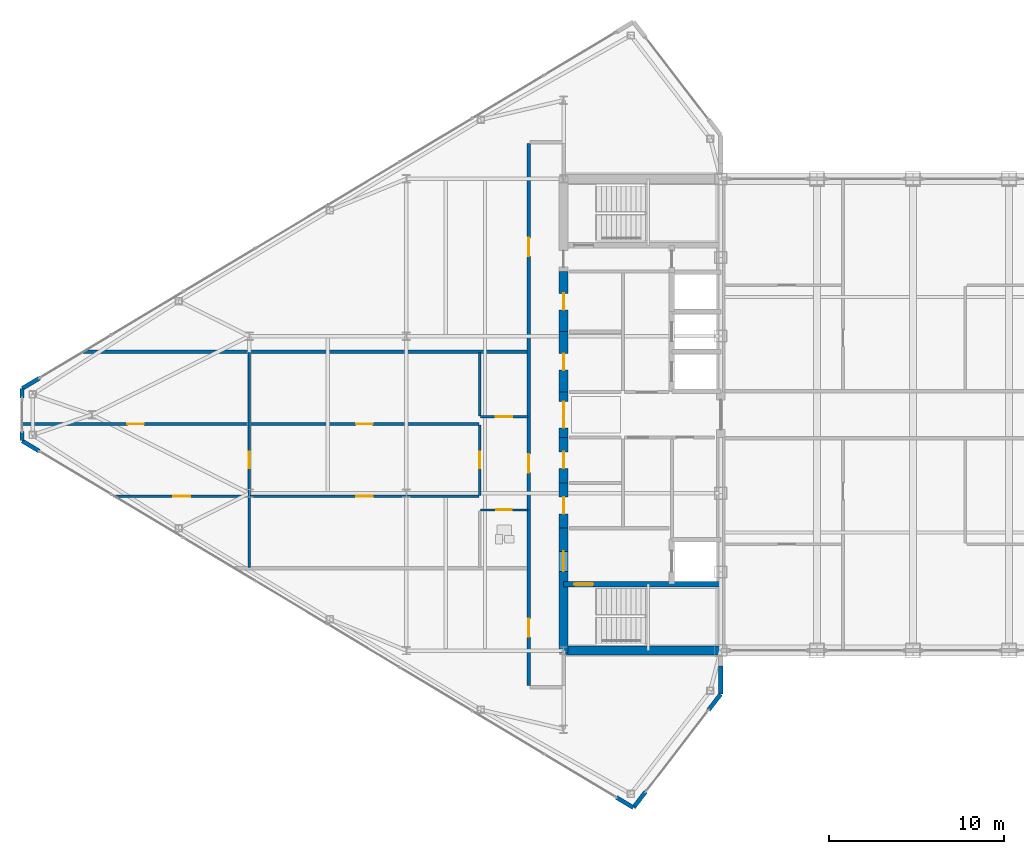
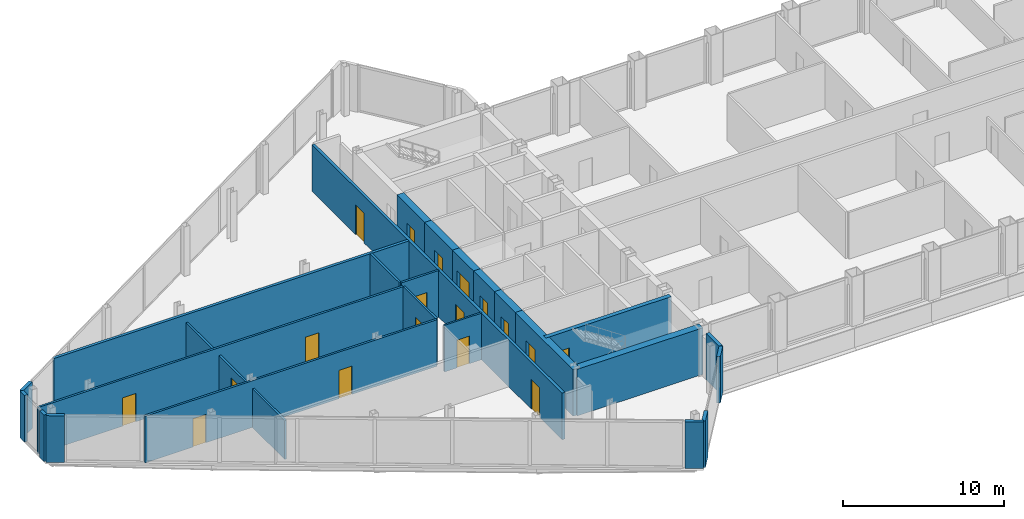
# One storey, part 21 of 29: 25 walls, 18 doors, 18 openings.
"""IFC4 building model written with IfcOpenShell, lengths in metres."""

from ifc_helpers import new_model, si_unit, direction, frame, frame_2d, origin, place, context, subcontext, project, spatial, rectangle, extrude, source, transform, mapped, material, layer, layer_set, type_object, type_shapes, element, fill, save


model = new_model("IFC4")

# Units and contexts
model_context = context("Model", 3, precision=1e-05, world=origin(), true_north=direction((0.0, 1.0)))
body_context = subcontext(model_context, "Body", "Model", "MODEL_VIEW")
ifc_project = project(units=[si_unit("LENGTHUNIT", "METRE"), si_unit("AREAUNIT", "SQUARE_METRE"), si_unit("VOLUMEUNIT", "CUBIC_METRE"), si_unit("PLANEANGLEUNIT", "RADIAN"), si_unit("MASSUNIT", "GRAM", prefix="KILO")], contexts=[model_context])

# Site, building, storey
site_placement = place(None, origin())
site = spatial("IfcSite", under=ifc_project, at=site_placement, CompositionType="ELEMENT")
building_placement = place(site_placement, origin())
building = spatial("IfcBuilding", under=site, at=building_placement, Name="Seokmaru Belvedere", CompositionType="ELEMENT")
storey_placement = place(building_placement, frame((0.0, 0.0, 239.39990234375)))
storey = spatial("IfcBuildingStorey", under=building, at=storey_placement, Name="L63", CompositionType="ELEMENT", Elevation=239.39990234375)

# Wall, openings, doors
ifc_material_1 = material(Name="Fire-Rated Gypsum Shaftwall")
ifc_layer_1 = layer(ifc_material_1, 0.14990234375)
ifc_layer_set_1 = layer_set([ifc_layer_1], Name="Fire-Rated Gypsum Shaftwall")
wall_type_1 = type_object("IfcWallType", Name="Apartment Fire-Acoustic Room Partition 150", PredefinedType="PARTITIONING", material=ifc_layer_set_1)
wall_1_placement = place(storey_placement, frame((-62.257080078125, -4.669921875, 0.0), z_axis=(0.0, 0.0, 1.0), x_axis=(1.0, 0.0, 0.0)))
wall_1 = element("IfcWall", 1, at=wall_1_placement, inside=storey, type_object=wall_type_1, Name="L63 Interior Partition 009", PredefinedType="PARTITIONING", context=body_context, shape_type="SweptSolid", body=[
    extrude(rectangle(XDim=20.906982421875, YDim=0.14990234375, at=frame_2d((10.45361328125, 0.0))), origin(), (0.0, 0.0, 1.0), 3.530029296875),
])
opening_1_placement = place(wall_1_placement, frame((13.882080078125, 0.0, 0.0)))
opening_1 = element("IfcOpeningElement", 2, at=opening_1_placement, cuts=wall_1, Name="Opening D05", PredefinedType="OPENING", context=body_context, shape_type="SweptSolid", body=[
    extrude(rectangle(XDim=0.949951171875, YDim=2.14990234375, at=frame_2d((0.47509765625, 1.074951171875))), frame((0.0, 0.0849609375, 0.0), z_axis=(0.0, -1.0, 0.0), x_axis=(1.0, 0.0, 0.0)), (0.0, 0.0, 1.0), 0.169921875),
])
opening_2_placement = place(wall_1_placement, frame((3.4208984375, 0.0, 0.0)))
opening_2 = element("IfcOpeningElement", 3, at=opening_2_placement, cuts=wall_1, Name="Opening D05", PredefinedType="OPENING", context=body_context, shape_type="SweptSolid", body=[
    extrude(rectangle(XDim=0.949951171875, YDim=2.14990234375, at=frame_2d((0.47509765625, 1.074951171875))), frame((0.0, 0.0849609375, 0.0), z_axis=(0.0, -1.0, 0.0), x_axis=(1.0, 0.0, 0.0)), (0.0, 0.0, 1.0), 0.169921875),
])
ifc_material_2 = material(Name="Engineered White Oak Timber", Category="wood")
door_type_1 = type_object("IfcDoorType", Name="Apartment Interior Fire-Rated Oak Door 950x2150", OperationType="NOTDEFINED", PredefinedType="DOOR", material=ifc_material_2)
shared_shape_1 = source(origin(), body_context, "Body", "SweptSolid", [
    extrude(rectangle(XDim=0.949951171875, YDim=2.14990234375, at=frame_2d((0.47509765625, 1.074951171875))), frame((0.0, 0.02490234375, 0.0), z_axis=(0.0, -1.0, 0.0), x_axis=(1.0, 0.0, 0.0)), (0.0, 0.0, 1.0), 0.050048828125),
])
type_shapes(door_type_1, [shared_shape_1])
door_1_placement = place(opening_1_placement, origin())
door_1 = element("IfcDoor", 4, at=door_1_placement, inside=storey, type_object=door_type_1, Name="L63 Interior Door 007", OperationType="SINGLE_SWING_LEFT", OverallHeight=2.14990234375, OverallWidth=0.949951171875, PredefinedType="DOOR", context=body_context, shape_type="MappedRepresentation", body=[
    mapped(shared_shape_1, transform((0.0, 0.0, 0.0), scale=1.0)),
])
fill(opening_1, door_1)
door_2_placement = place(opening_2_placement, origin())
door_2 = element("IfcDoor", 5, at=door_2_placement, inside=storey, type_object=door_type_1, Name="L63 Interior Door 009", OperationType="SINGLE_SWING_RIGHT", OverallHeight=2.14990234375, OverallWidth=0.949951171875, PredefinedType="DOOR", context=body_context, shape_type="MappedRepresentation", body=[
    mapped(shared_shape_1, transform((0.0, 0.0, 0.0), scale=1.0)),
])
fill(opening_2, door_2)

wall_2_placement = place(storey_placement, frame((-67.534912109375, -0.530029296875, 0.0), z_axis=(0.0, 0.0, 1.0), x_axis=(1.0, 0.0, 0.0)))
wall_2 = element("IfcWall", 6, at=wall_2_placement, inside=storey, type_object=wall_type_1, Name="L63 Interior Partition 014", PredefinedType="PARTITIONING", context=body_context, shape_type="SweptSolid", body=[
    extrude(rectangle(XDim=26.184814453125, YDim=0.14990234375, at=frame_2d((13.09228515625, 0.0))), origin(), (0.0, 0.0, 1.0), 3.530029296875),
])
opening_3_placement = place(wall_2_placement, frame((19.159912109375, 0.0, 0.0)))
opening_3 = element("IfcOpeningElement", 7, at=opening_3_placement, cuts=wall_2, Name="Opening D05", PredefinedType="OPENING", context=body_context, shape_type="SweptSolid", body=[
    extrude(rectangle(XDim=0.949951171875, YDim=2.14990234375, at=frame_2d((0.47509765625, 1.074951171875))), frame((0.0, 0.0849609375, 0.0), z_axis=(0.0, -1.0, 0.0), x_axis=(1.0, 0.0, 0.0)), (0.0, 0.0, 1.0), 0.169921875),
])
opening_4_placement = place(wall_2_placement, frame((6.06005859375, 0.0, 0.0)))
opening_4 = element("IfcOpeningElement", 8, at=opening_4_placement, cuts=wall_2, Name="Opening D05", PredefinedType="OPENING", context=body_context, shape_type="SweptSolid", body=[
    extrude(rectangle(XDim=0.949951171875, YDim=2.14990234375, at=frame_2d((0.47509765625, 1.074951171875))), frame((0.0, 0.0849609375, 0.0), z_axis=(0.0, -1.0, 0.0), x_axis=(1.0, 0.0, 0.0)), (0.0, 0.0, 1.0), 0.169921875),
])
door_3_placement = place(opening_3_placement, origin())
door_3 = element("IfcDoor", 9, at=door_3_placement, inside=storey, type_object=door_type_1, Name="L63 Interior Door 008", OperationType="SINGLE_SWING_RIGHT", OverallHeight=2.14990234375, OverallWidth=0.949951171875, PredefinedType="DOOR", context=body_context, shape_type="MappedRepresentation", body=[
    mapped(shared_shape_1, transform((0.0, 0.0, 0.0), scale=1.0)),
])
fill(opening_3, door_3)
door_4_placement = place(opening_4_placement, origin())
door_4 = element("IfcDoor", 10, at=door_4_placement, inside=storey, type_object=door_type_1, Name="L63 Interior Door 010", OperationType="SINGLE_SWING_RIGHT", OverallHeight=2.14990234375, OverallWidth=0.949951171875, PredefinedType="DOOR", context=body_context, shape_type="MappedRepresentation", body=[
    mapped(shared_shape_1, transform((0.0, 0.0, 0.0), scale=1.0)),
])
fill(opening_4, door_4)

# Wall, opening, door
wall_3_placement = place(storey_placement, frame((-41.25, -0.1201171875, 0.0), z_axis=(0.0, 0.0, 1.0), x_axis=(1.0, 0.0, 0.0)))
wall_3 = element("IfcWall", 11, at=wall_3_placement, inside=storey, type_object=wall_type_1, Name="L63 Interior Partition 015", PredefinedType="PARTITIONING", context=body_context, shape_type="SweptSolid", body=[
    extrude(rectangle(XDim=2.699951171875, YDim=0.14990234375, at=frame_2d((1.35009765625, 0.0))), origin(), (0.0, 0.0, 1.0), 3.530029296875),
])
opening_5_placement = place(wall_3_placement, frame((0.875, 0.0, 0.0)))
opening_5 = element("IfcOpeningElement", 12, at=opening_5_placement, cuts=wall_3, Name="Opening D05", PredefinedType="OPENING", context=body_context, shape_type="SweptSolid", body=[
    extrude(rectangle(XDim=0.949951171875, YDim=2.14990234375, at=frame_2d((0.47509765625, 1.074951171875))), frame((0.0, 0.0849609375, 0.0), z_axis=(0.0, -1.0, 0.0), x_axis=(1.0, 0.0, 0.0)), (0.0, 0.0, 1.0), 0.169921875),
])
door_5_placement = place(opening_5_placement, origin())
door_5 = element("IfcDoor", 13, at=door_5_placement, inside=storey, type_object=door_type_1, Name="L63 Interior Door 004", OperationType="SINGLE_SWING_LEFT", OverallHeight=2.14990234375, OverallWidth=0.949951171875, PredefinedType="DOOR", context=body_context, shape_type="MappedRepresentation", body=[
    mapped(shared_shape_1, transform((0.0, 0.0, 0.0), scale=1.0)),
])
fill(opening_5, door_5)

wall_4_placement = place(storey_placement, frame((-54.5, -8.75, 0.0), z_axis=(0.0, 0.0, 1.0), x_axis=(0.0, 1.0, 0.0)))
wall_4 = element("IfcWall", 14, at=wall_4_placement, inside=storey, type_object=wall_type_1, Name="L63 Interior Partition 027", PredefinedType="PARTITIONING", context=body_context, shape_type="SweptSolid", body=[
    extrude(rectangle(XDim=12.300048828125, YDim=0.14990234375, at=frame_2d((6.14990234375, 0.0))), origin(), (0.0, 0.0, 1.0), 2.93017578125),
])
opening_6_placement = place(wall_4_placement, frame((5.675048828125, 0.0, 0.0)))
opening_6 = element("IfcOpeningElement", 15, at=opening_6_placement, cuts=wall_4, Name="Opening D05", PredefinedType="OPENING", context=body_context, shape_type="SweptSolid", body=[
    extrude(rectangle(XDim=0.949951171875, YDim=2.14990234375, at=frame_2d((0.47509765625, 1.074951171875))), frame((0.0, 0.0849609375, 0.0), z_axis=(0.0, -1.0, 0.0), x_axis=(1.0, 0.0, 0.0)), (0.0, 0.0, 1.0), 0.169921875),
])
door_6_placement = place(opening_6_placement, origin())
door_6 = element("IfcDoor", 16, at=door_6_placement, inside=storey, type_object=door_type_1, Name="L63 Interior Door 006", OperationType="SINGLE_SWING_LEFT", OverallHeight=2.14990234375, OverallWidth=0.949951171875, PredefinedType="DOOR", context=body_context, shape_type="MappedRepresentation", body=[
    mapped(shared_shape_1, transform((0.0, 0.0, 0.0), scale=1.0)),
])
fill(opening_6, door_6)

wall_5_placement = place(storey_placement, frame((-41.300048828125, -4.616943359375, 0.0), z_axis=(0.0, 0.0, 1.0), x_axis=(0.0, 1.0, 0.0)))
wall_5 = element("IfcWall", 17, at=wall_5_placement, inside=storey, type_object=wall_type_1, Name="L63 Interior Partition 029", PredefinedType="PARTITIONING", context=body_context, shape_type="SweptSolid", body=[
    extrude(rectangle(XDim=4.033935546875, YDim=0.14990234375, at=frame_2d((2.01708984375, 0.0))), origin(), (0.0, 0.0, 1.0), 3.530029296875),
])
opening_7_placement = place(wall_5_placement, frame((1.5419921875, 0.0, 0.0)))
opening_7 = element("IfcOpeningElement", 18, at=opening_7_placement, cuts=wall_5, Name="Opening D05", PredefinedType="OPENING", context=body_context, shape_type="SweptSolid", body=[
    extrude(rectangle(XDim=0.949951171875, YDim=2.14990234375, at=frame_2d((0.47509765625, 1.074951171875))), frame((0.0, 0.0849609375, 0.0), z_axis=(0.0, -1.0, 0.0), x_axis=(1.0, 0.0, 0.0)), (0.0, 0.0, 1.0), 0.169921875),
])
door_7_placement = place(opening_7_placement, origin())
door_7 = element("IfcDoor", 19, at=door_7_placement, inside=storey, type_object=door_type_1, Name="L63 Interior Door 005", OperationType="SINGLE_SWING_RIGHT", OverallHeight=2.14990234375, OverallWidth=0.949951171875, PredefinedType="DOOR", context=body_context, shape_type="MappedRepresentation", body=[
    mapped(shared_shape_1, transform((0.0, 0.0, 0.0), scale=1.0)),
])
fill(opening_7, door_7)

# Walls
wall_6_placement = place(storey_placement, frame((-41.300048828125, -0.068115234375, 0.0), z_axis=(0.0, 0.0, 1.0), x_axis=(0.0, 1.0, 0.0)))
element("IfcWall", 20, at=wall_6_placement, inside=storey, type_object=wall_type_1, Name="L63 Interior Partition 030", PredefinedType="PARTITIONING", context=body_context, shape_type="SweptSolid", body=[
    extrude(rectangle(XDim=3.6181640625, YDim=0.14990234375, at=frame_2d((1.80908203125, 0.0))), origin(), (0.0, 0.0, 1.0), 3.530029296875),
])
ifc_layer_2 = layer(ifc_material_1, 0.199951171875)
ifc_layer_set_2 = layer_set([ifc_layer_2], Name="Fire-Rated Gypsum Shaftwall")
wall_type_2 = type_object("IfcWallType", Name="Inter-Tenancy Fire Compartment Partition 200", PredefinedType="PARTITIONING", material=ifc_layer_set_2)
wall_7_placement = place(storey_placement, frame((-64.010009765625, 3.60009765625, 0.0), z_axis=(0.0, 0.0, 1.0), x_axis=(1.0, 0.0, 0.0)))
element("IfcWall", 21, at=wall_7_placement, inside=storey, type_object=wall_type_2, Name="L63 Interior Partition 020", PredefinedType="PARTITIONING", context=body_context, shape_type="SweptSolid", body=[
    extrude(rectangle(XDim=25.429931640625, YDim=0.199951171875, at=frame_2d((12.71484375, 0.0))), origin(), (0.0, 0.0, 1.0), 3.530029296875),
])

# Wall, openings, doors
wall_8_placement = place(storey_placement, frame((-38.5, -15.514892578125, 0.0), z_axis=(0.0, 0.0, 1.0), x_axis=(0.0, 1.0, 0.0)))
wall_8 = element("IfcWall", 22, at=wall_8_placement, inside=storey, type_object=wall_type_2, Name="L63 Interior Partition 031", PredefinedType="PARTITIONING", context=body_context, shape_type="SweptSolid", body=[
    extrude(rectangle(XDim=31.02978515625, YDim=0.199951171875, at=frame_2d((15.514892578125, 0.0))), origin(), (0.0, 0.0, 1.0), 3.530029296875),
])
opening_8_placement = place(wall_8_placement, frame((2.7900390625, 0.0, 0.0)))
opening_8 = element("IfcOpeningElement", 23, at=opening_8_placement, cuts=wall_8, Name="Opening D03", PredefinedType="OPENING", context=body_context, shape_type="SweptSolid", body=[
    extrude(rectangle(XDim=1.050048828125, YDim=2.25, at=frame_2d((0.52490234375, 1.125))), frame((0.0, 0.10986328125, 0.0), z_axis=(0.0, -1.0, 0.0), x_axis=(1.0, 0.0, 0.0)), (0.0, 0.0, 1.0), 0.219970703125),
])
opening_9_placement = place(wall_8_placement, frame((12.2041015625, 0.0, 0.0)))
opening_9 = element("IfcOpeningElement", 24, at=opening_9_placement, cuts=wall_8, Name="Opening D03", PredefinedType="OPENING", context=body_context, shape_type="SweptSolid", body=[
    extrude(rectangle(XDim=1.050048828125, YDim=2.25, at=frame_2d((0.52490234375, 1.125))), frame((0.0, 0.10986328125, 0.0), z_axis=(0.0, -1.0, 0.0), x_axis=(1.0, 0.0, 0.0)), (0.0, 0.0, 1.0), 0.219970703125),
])
opening_10_placement = place(wall_8_placement, frame((24.590087890625, 0.0, 0.0)))
opening_10 = element("IfcOpeningElement", 25, at=opening_10_placement, cuts=wall_8, Name="Opening D03", PredefinedType="OPENING", context=body_context, shape_type="SweptSolid", body=[
    extrude(rectangle(XDim=1.050048828125, YDim=2.25, at=frame_2d((0.52490234375, 1.125))), frame((0.0, 0.10986328125, 0.0), z_axis=(0.0, -1.0, 0.0), x_axis=(1.0, 0.0, 0.0)), (0.0, 0.0, 1.0), 0.219970703125),
])
ifc_material_3 = material(Name="Fire-Rated Steel Leaf", Category="steel")
door_type_2 = type_object("IfcDoorType", Name="Apartment Entrance Fire Door 1050x2250", OperationType="NOTDEFINED", PredefinedType="DOOR", material=ifc_material_3)
shared_shape_2 = source(origin(), body_context, "Body", "SweptSolid", [
    extrude(rectangle(XDim=1.050048828125, YDim=2.25, at=frame_2d((0.52490234375, 1.125))), frame((0.0, 0.02490234375, 0.0), z_axis=(0.0, -1.0, 0.0), x_axis=(1.0, 0.0, 0.0)), (0.0, 0.0, 1.0), 0.050048828125),
])
type_shapes(door_type_2, [shared_shape_2])
door_8_placement = place(opening_8_placement, origin())
door_8 = element("IfcDoor", 26, at=door_8_placement, inside=storey, type_object=door_type_2, Name="L63 Interior Door 001", OperationType="SINGLE_SWING_RIGHT", OverallHeight=2.25, OverallWidth=1.050048828125, PredefinedType="DOOR", context=body_context, shape_type="MappedRepresentation", body=[
    mapped(shared_shape_2, transform((0.0, 0.0, 0.0), scale=1.0)),
])
fill(opening_8, door_8)
door_9_placement = place(opening_9_placement, origin())
door_9 = element("IfcDoor", 27, at=door_9_placement, inside=storey, type_object=door_type_2, Name="L63 Interior Door 002", OperationType="SINGLE_SWING_LEFT", OverallHeight=2.25, OverallWidth=1.050048828125, PredefinedType="DOOR", context=body_context, shape_type="MappedRepresentation", body=[
    mapped(shared_shape_2, transform((0.0, 0.0, 0.0), scale=1.0)),
])
fill(opening_9, door_9)
door_10_placement = place(opening_10_placement, origin())
door_10 = element("IfcDoor", 28, at=door_10_placement, inside=storey, type_object=door_type_2, Name="L63 Interior Door 011", OperationType="SINGLE_SWING_RIGHT", OverallHeight=2.25, OverallWidth=1.050048828125, PredefinedType="DOOR", context=body_context, shape_type="MappedRepresentation", body=[
    mapped(shared_shape_2, transform((0.0, 0.0, 0.0), scale=1.0)),
])
fill(opening_10, door_10)

# Wall, opening, door
ifc_material_4 = material(Name="Concrete C50 (50 MPa)", Category="concrete")
ifc_layer_3 = layer(ifc_material_4, 0.300048828125)
ifc_layer_set_3 = layer_set([ifc_layer_3], Name="Concrete C50 (50 MPa)")
wall_type_3 = type_object("IfcWallType", Name="Internal Core Stair and Hoistway Wall 300", PredefinedType="SHEAR", material=ifc_layer_set_3)
wall_9_placement = place(storey_placement, frame((-36.5, -9.699951171875, 0.0), z_axis=(0.0, 0.0, 1.0), x_axis=(1.0, 0.0, 0.0)))
wall_9 = element("IfcWall", 29, at=wall_9_placement, inside=storey, type_object=wall_type_3, Name="L63 West Stair ST-1 Enclosure Wall", PredefinedType="SHEAR", context=body_context, shape_type="SweptSolid", body=[
    extrude(rectangle(XDim=9.0, YDim=0.300048828125, at=frame_2d((4.5, 0.0))), origin(), (0.0, 0.0, 1.0), 3.530029296875),
])
opening_11_placement = place(wall_9_placement, frame((0.60009765625, 0.0, 0.0)))
opening_11 = element("IfcOpeningElement", 30, at=opening_11_placement, cuts=wall_9, Name="Opening D01", PredefinedType="OPENING", context=body_context, shape_type="SweptSolid", body=[
    extrude(rectangle(XDim=1.10009765625, YDim=2.199951171875, at=frame_2d((0.550048828125, 1.10009765625))), frame((0.0, 0.16015625, 0.0), z_axis=(0.0, -1.0, 0.0), x_axis=(1.0, 0.0, 0.0)), (0.0, 0.0, 1.0), 0.320068359375),
])
door_type_3 = type_object("IfcDoorType", Name="Special Escape Stair Smokeproof Fire Door 1100x2200", OperationType="NOTDEFINED", PredefinedType="DOOR", material=ifc_material_3)
shared_shape_3 = source(origin(), body_context, "Body", "SweptSolid", [
    extrude(rectangle(XDim=1.10009765625, YDim=2.199951171875, at=frame_2d((0.550048828125, 1.10009765625))), frame((0.0, 0.02490234375, 0.0), z_axis=(0.0, -1.0, 0.0), x_axis=(1.0, 0.0, 0.0)), (0.0, 0.0, 1.0), 0.050048828125),
])
type_shapes(door_type_3, [shared_shape_3])
door_11_placement = place(opening_11_placement, frame((1.10009765625, 0.0, 0.0), z_axis=(0.0, 0.0, 1.0), x_axis=(-1.0, 0.0, 0.0)))
door_11 = element("IfcDoor", 31, at=door_11_placement, inside=storey, type_object=door_type_3, Name="L63 West Special Escape Stair ST-1 Door", OperationType="SINGLE_SWING_LEFT", OverallHeight=2.199951171875, OverallWidth=1.10009765625, PredefinedType="DOOR", context=body_context, shape_type="MappedRepresentation", body=[
    mapped(shared_shape_3, transform((0.0, 0.0, 0.0), scale=1.0)),
])
fill(opening_11, door_11)

ifc_layer_4 = layer(ifc_material_1, 0.1298828125)
ifc_layer_set_4 = layer_set([ifc_layer_4], Name="Fire-Rated Gypsum Shaftwall")
wall_type_4 = type_object("IfcWallType", Name="Moisture-Resistant Fire-Rated Bathroom Partition 130", PredefinedType="PARTITIONING", material=ifc_layer_set_4)
wall_10_placement = place(storey_placement, frame((-41.25, -5.449951171875, 0.0), z_axis=(0.0, 0.0, 1.0), x_axis=(1.0, 0.0, 0.0)))
wall_10 = element("IfcWall", 32, at=wall_10_placement, inside=storey, type_object=wall_type_4, Name="L63 Interior Partition 008", PredefinedType="PARTITIONING", context=body_context, shape_type="SweptSolid", body=[
    extrude(rectangle(XDim=2.699951171875, YDim=0.1298828125, at=frame_2d((1.35009765625, 0.0))), origin(), (0.0, 0.0, 1.0), 3.530029296875),
])
opening_12_placement = place(wall_10_placement, frame((0.909912109375, 0.0, 0.0)))
opening_12 = element("IfcOpeningElement", 33, at=opening_12_placement, cuts=wall_10, Name="Opening D06", PredefinedType="OPENING", context=body_context, shape_type="SweptSolid", body=[
    extrude(rectangle(XDim=0.8798828125, YDim=2.10009765625, at=frame_2d((0.43994140625, 1.050048828125))), frame((0.0, 0.074951171875, 0.0), z_axis=(0.0, -1.0, 0.0), x_axis=(1.0, 0.0, 0.0)), (0.0, 0.0, 1.0), 0.14990234375),
])
door_type_4 = type_object("IfcDoorType", Name="Bathroom and Restroom Fire-Rated Door 880x2100", OperationType="NOTDEFINED", PredefinedType="DOOR", material=ifc_material_2)
shared_shape_4 = source(origin(), body_context, "Body", "SweptSolid", [
    extrude(rectangle(XDim=0.8798828125, YDim=2.10009765625, at=frame_2d((0.43994140625, 1.050048828125))), frame((0.0, 0.02490234375, 0.0), z_axis=(0.0, -1.0, 0.0), x_axis=(1.0, 0.0, 0.0)), (0.0, 0.0, 1.0), 0.050048828125),
])
type_shapes(door_type_4, [shared_shape_4])
door_12_placement = place(opening_12_placement, origin())
door_12 = element("IfcDoor", 34, at=door_12_placement, inside=storey, type_object=door_type_4, Name="L63 Interior Door 003", OperationType="SINGLE_SWING_LEFT", OverallHeight=2.10009765625, OverallWidth=0.8798828125, PredefinedType="DOOR", context=body_context, shape_type="MappedRepresentation", body=[
    mapped(shared_shape_4, transform((0.0, 0.0, 0.0), scale=1.0)),
])
fill(opening_12, door_12)

# Walls
ifc_material_5 = material(Name="Anodised Bronze Aluminium", Category="aluminium")
ifc_layer_5 = layer(ifc_material_5, 0.239990234375)
ifc_layer_set_5 = layer_set([ifc_layer_5], Name="Anodised Bronze Aluminium")
wall_type_5 = type_object("IfcWallType", Name="Tower Corner Spandrel Closure Wall 240", PredefinedType="SOLIDWALL", material=ifc_layer_set_5)
wall_11_placement = place(storey_placement, frame((-27.5, -15.97998046875, 0.0), z_axis=(0.0, 0.0, 1.0), x_axis=(0.0, 1.0, 0.0)))
element("IfcWall", 35, at=wall_11_placement, inside=storey, type_object=wall_type_5, Name="L63 W Shoulder Closure Wall 1", PredefinedType="SOLIDWALL", context=body_context, shape_type="SweptSolid", body=[
    extrude(rectangle(XDim=1.605224609375, YDim=0.239990234375, at=frame_2d((0.802734375, 0.0))), origin(), (0.0, 0.0, 1.0), 3.530029296875),
])
wall_12_placement = place(storey_placement, frame((-66.513916015625, 2.091796875, 0.0), z_axis=(0.0, 0.0, 1.0), x_axis=(-0.85743623509, -0.514590228002, 0.0)))
element("IfcWall", 36, at=wall_12_placement, inside=storey, type_object=wall_type_5, Name="L63 W Corner Closure Pier 3B", PredefinedType="SOLIDWALL", context=body_context, shape_type="SweptSolid", body=[
    extrude(rectangle(XDim=1.14013671875, YDim=0.239990234375, at=frame_2d((0.570068359375, 0.0))), origin(), (0.0, 0.0, 1.0), 3.530029296875),
])
for number, where, z_axis, x_axis, name in (
    (37, (-67.5, 1.489990234375, 0.0), (0.0, 0.0, 1.0), (0.0, -1.0, 0.0), "L63 W Apex Closure Pier 4A"),
    (38, (-67.5, -0.949951171875, 0.0), (0.0, 0.0, 1.0), (0.0, -1.0, 0.0), "L63 W Apex Closure Pier 4B"),
):
    element("IfcWall", number, at=place(storey_placement, frame(where, z_axis=z_axis, x_axis=x_axis)), inside=storey, type_object=wall_type_5, Name=name, PredefinedType="SOLIDWALL", context=body_context, shape_type="SweptSolid", body=[
        extrude(rectangle(XDim=0.5400390625, YDim=0.239990234375, at=frame_2d((0.27001953125, 0.0))), origin(), (0.0, 0.0, 1.0), 3.530029296875),
    ])
for number, where, z_axis, x_axis, name in (
    (39, (-67.491455078125, -1.505126953125, 0.0), (0.0, 0.0, 1.0), (0.85743623509, -0.514590228002, 0.0), "L63 W Corner Closure Pier 5A"),
    (40, (-33.486083984375, -21.908203125, 0.0), (0.0, 0.0, 1.0), (0.85743623509, -0.514590228002, 0.0), "L63 W Corner Closure Pier 5B"),
    (41, (-32.493896484375, -22.4921875, 0.0), (0.0, 0.0, 1.0), (0.609617623633, 0.792695624408, 0.0), "L63 W Corner Closure Pier 6A"),
    (42, (-28.201171875, -16.91162109375, 0.0), (0.0, 0.0, 1.0), (0.609617623633, 0.792695624408, 0.0), "L63 W Corner Closure Pier 6B"),
):
    element("IfcWall", number, at=place(storey_placement, frame(where, z_axis=z_axis, x_axis=x_axis)), inside=storey, type_object=wall_type_5, Name=name, PredefinedType="SOLIDWALL", context=body_context, shape_type="SweptSolid", body=[
        extrude(rectangle(XDim=1.14013671875, YDim=0.239990234375, at=frame_2d((0.570068359375, 0.0))), origin(), (0.0, 0.0, 1.0), 3.530029296875),
    ])
ifc_layer_6 = layer(ifc_material_4, 0.5)
ifc_layer_set_6 = layer_set([ifc_layer_6], Name="Concrete C50 (50 MPa)")
wall_type_6 = type_object("IfcWallType", Name="Upper Tower Reinforced Concrete Core Wall 500", PredefinedType="SHEAR", material=ifc_layer_set_6)
wall_13_placement = place(storey_placement, frame((-36.5, -13.5, 0.0), z_axis=(0.0, 0.0, 1.0), x_axis=(1.0, 0.0, 0.0)))
element("IfcWall", 43, at=wall_13_placement, inside=storey, type_object=wall_type_6, Name="L63 West South Core Wall", PredefinedType="SHEAR", context=body_context, shape_type="SweptSolid", body=[
    extrude(rectangle(XDim=9.0, YDim=0.5, at=frame_2d((4.5, 0.0))), origin(), (0.0, 0.0, 1.0), 3.530029296875),
])

# Wall, opening, door
wall_14_placement = place(storey_placement, frame((-36.5, -13.64990234375, 0.0), z_axis=(0.0, 0.0, 1.0), x_axis=(0.0, 1.0, 0.0)))
wall_14 = element("IfcWall", 44, at=wall_14_placement, inside=storey, type_object=wall_type_6, Name="L63 West West Core Wall FF", PredefinedType="SHEAR", context=body_context, shape_type="SweptSolid", body=[
    extrude(rectangle(XDim=7.14990234375, YDim=0.5, at=frame_2d((3.574951171875, 0.0))), origin(), (0.0, 0.0, 1.0), 3.530029296875),
])
opening_13_placement = place(wall_14_placement, frame((4.675048828125, 0.0, 0.0)))
opening_13 = element("IfcOpeningElement", 45, at=opening_13_placement, cuts=wall_14, Name="Opening D02", PredefinedType="OPENING", context=body_context, shape_type="SweptSolid", body=[
    extrude(rectangle(XDim=1.14990234375, YDim=2.199951171875, at=frame_2d((0.574951171875, 1.10009765625))), frame((0.0, 0.260009765625, 0.0), z_axis=(0.0, -1.0, 0.0), x_axis=(1.0, 0.0, 0.0)), (0.0, 0.0, 1.0), 0.52001953125),
])
door_type_5 = type_object("IfcDoorType", Name="Lobby and Vestibule Fire Door 1150x2200", OperationType="NOTDEFINED", PredefinedType="DOOR", material=ifc_material_3)
shared_shape_5 = source(origin(), body_context, "Body", "SweptSolid", [
    extrude(rectangle(XDim=1.14990234375, YDim=2.199951171875, at=frame_2d((0.574951171875, 1.10009765625))), frame((0.0, 0.02490234375, 0.0), z_axis=(0.0, -1.0, 0.0), x_axis=(1.0, 0.0, 0.0)), (0.0, 0.0, 1.0), 0.050048828125),
])
type_shapes(door_type_5, [shared_shape_5])
door_13_placement = place(opening_13_placement, frame((1.14990234375, 0.0, 0.0), z_axis=(0.0, 0.0, 1.0), x_axis=(-1.0, 0.0, 0.0)))
door_13 = element("IfcDoor", 46, at=door_13_placement, inside=storey, type_object=door_type_5, Name="L63 West Firefighting Lobby Door", OperationType="SINGLE_SWING_LEFT", OverallHeight=2.199951171875, OverallWidth=1.14990234375, PredefinedType="DOOR", context=body_context, shape_type="MappedRepresentation", body=[
    mapped(shared_shape_5, transform((0.0, 0.0, 0.0), scale=1.0)),
])
fill(opening_13, door_13)

wall_15_placement = place(storey_placement, frame((-36.5, -1.300048828125, 0.0), z_axis=(0.0, 0.0, 1.0), x_axis=(0.0, 1.0, 0.0)))
wall_15 = element("IfcWall", 47, at=wall_15_placement, inside=storey, type_object=wall_type_6, Name="L63 West West Core Wall FOY", PredefinedType="SHEAR", context=body_context, shape_type="SweptSolid", body=[
    extrude(rectangle(XDim=2.60009765625, YDim=0.5, at=frame_2d((1.300048828125, 0.0))), origin(), (0.0, 0.0, 1.0), 3.530029296875),
])
opening_14_placement = place(wall_15_placement, frame((0.550048828125, 0.0, 0.0)))
opening_14 = element("IfcOpeningElement", 48, at=opening_14_placement, cuts=wall_15, Name="Opening D08", PredefinedType="OPENING", context=body_context, shape_type="SweptSolid", body=[
    extrude(rectangle(XDim=1.5, YDim=2.300048828125, at=frame_2d((0.75, 1.14990234375))), frame((0.0, 0.260009765625, 0.0), z_axis=(0.0, -1.0, 0.0), x_axis=(1.0, 0.0, 0.0)), (0.0, 0.0, 1.0), 0.52001953125),
])
door_type_6 = type_object("IfcDoorType", Name="Cross-Corridor Compartment Double Fire Door 1500x2300", OperationType="DOUBLE_SWING_LEFT", PredefinedType="DOOR", material=ifc_material_3)
shared_shape_6 = source(origin(), body_context, "Body", "SweptSolid", [
    extrude(rectangle(XDim=1.5, YDim=2.300048828125, at=frame_2d((0.75, 1.14990234375))), frame((0.0, 0.02490234375, 0.0), z_axis=(0.0, -1.0, 0.0), x_axis=(1.0, 0.0, 0.0)), (0.0, 0.0, 1.0), 0.050048828125),
])
type_shapes(door_type_6, [shared_shape_6])
door_14_placement = place(opening_14_placement, origin())
door_14 = element("IfcDoor", 49, at=door_14_placement, inside=storey, type_object=door_type_6, Name="L63 West Core Foyer Compartment Door", OperationType="DOUBLE_SWING_LEFT", OverallHeight=2.300048828125, OverallWidth=1.5, PredefinedType="DOOR", context=body_context, shape_type="MappedRepresentation", body=[
    mapped(shared_shape_6, transform((0.0, 0.0, 0.0), scale=1.0)),
])
fill(opening_14, door_14)

wall_16_placement = place(storey_placement, frame((-36.5, -6.5, 0.0), z_axis=(0.0, 0.0, 1.0), x_axis=(0.0, 1.0, 0.0)))
wall_16 = element("IfcWall", 50, at=wall_16_placement, inside=storey, type_object=wall_type_6, Name="L63 West West Core Wall CS1", PredefinedType="SHEAR", context=body_context, shape_type="SweptSolid", body=[
    extrude(rectangle(XDim=2.60009765625, YDim=0.5, at=frame_2d((1.300048828125, 0.0))), origin(), (0.0, 0.0, 1.0), 3.530029296875),
])
opening_15_placement = place(wall_16_placement, frame((0.824951171875, 0.0, 0.0)))
opening_15 = element("IfcOpeningElement", 51, at=opening_15_placement, cuts=wall_16, Name="Opening D04", PredefinedType="OPENING", context=body_context, shape_type="SweptSolid", body=[
    extrude(rectangle(XDim=0.949951171875, YDim=2.14990234375, at=frame_2d((0.47509765625, 1.074951171875))), frame((0.0, 0.260009765625, 0.0), z_axis=(0.0, -1.0, 0.0), x_axis=(1.0, 0.0, 0.0)), (0.0, 0.0, 1.0), 0.52001953125),
])
door_type_7 = type_object("IfcDoorType", Name="Core Service Room Fire Door 950x2150", OperationType="NOTDEFINED", PredefinedType="DOOR", material=ifc_material_3)
shared_shape_7 = source(origin(), body_context, "Body", "SweptSolid", [
    extrude(rectangle(XDim=0.949951171875, YDim=2.14990234375, at=frame_2d((0.47509765625, 1.074951171875))), frame((0.0, 0.02490234375, 0.0), z_axis=(0.0, -1.0, 0.0), x_axis=(1.0, 0.0, 0.0)), (0.0, 0.0, 1.0), 0.050048828125),
])
type_shapes(door_type_7, [shared_shape_7])
door_15_placement = place(opening_15_placement, origin())
door_15 = element("IfcDoor", 52, at=door_15_placement, inside=storey, type_object=door_type_7, Name="L63 West Core Service Room Door 1", OperationType="SINGLE_SWING_LEFT", OverallHeight=2.14990234375, OverallWidth=0.949951171875, PredefinedType="DOOR", context=body_context, shape_type="MappedRepresentation", body=[
    mapped(shared_shape_7, transform((0.0, 0.0, 0.0), scale=1.0)),
])
fill(opening_15, door_15)

wall_17_placement = place(storey_placement, frame((-36.5, -3.89990234375, 0.0), z_axis=(0.0, 0.0, 1.0), x_axis=(0.0, 1.0, 0.0)))
wall_17 = element("IfcWall", 53, at=wall_17_placement, inside=storey, type_object=wall_type_6, Name="L63 West West Core Wall CS2", PredefinedType="SHEAR", context=body_context, shape_type="SweptSolid", body=[
    extrude(rectangle(XDim=2.599853515625, YDim=0.5, at=frame_2d((1.2998046875, 0.0))), origin(), (0.0, 0.0, 1.0), 3.530029296875),
])
opening_16_placement = place(wall_17_placement, frame((0.824951171875, 0.0, 0.0)))
opening_16 = element("IfcOpeningElement", 54, at=opening_16_placement, cuts=wall_17, Name="Opening D04", PredefinedType="OPENING", context=body_context, shape_type="SweptSolid", body=[
    extrude(rectangle(XDim=0.949951171875, YDim=2.14990234375, at=frame_2d((0.47509765625, 1.074951171875))), frame((0.0, 0.260009765625, 0.0), z_axis=(0.0, -1.0, 0.0), x_axis=(1.0, 0.0, 0.0)), (0.0, 0.0, 1.0), 0.52001953125),
])
door_16_placement = place(opening_16_placement, origin())
door_16 = element("IfcDoor", 55, at=door_16_placement, inside=storey, type_object=door_type_7, Name="L63 West Core Service Room Door 2", OperationType="SINGLE_SWING_RIGHT", OverallHeight=2.14990234375, OverallWidth=0.949951171875, PredefinedType="DOOR", context=body_context, shape_type="MappedRepresentation", body=[
    mapped(shared_shape_7, transform((0.0, 0.0, 0.0), scale=1.0)),
])
fill(opening_16, door_16)

wall_18_placement = place(storey_placement, frame((-36.5, 1.300048828125, 0.0), z_axis=(0.0, 0.0, 1.0), x_axis=(0.0, 1.0, 0.0)))
wall_18 = element("IfcWall", 56, at=wall_18_placement, inside=storey, type_object=wall_type_6, Name="L63 West West Core Wall CS3", PredefinedType="SHEAR", context=body_context, shape_type="SweptSolid", body=[
    extrude(rectangle(XDim=3.449951171875, YDim=0.5, at=frame_2d((1.72509765625, 0.0))), origin(), (0.0, 0.0, 1.0), 3.530029296875),
])
opening_17_placement = place(wall_18_placement, frame((1.25, 0.0, 0.0)))
opening_17 = element("IfcOpeningElement", 57, at=opening_17_placement, cuts=wall_18, Name="Opening D04", PredefinedType="OPENING", context=body_context, shape_type="SweptSolid", body=[
    extrude(rectangle(XDim=0.949951171875, YDim=2.14990234375, at=frame_2d((0.47509765625, 1.074951171875))), frame((0.0, 0.260009765625, 0.0), z_axis=(0.0, -1.0, 0.0), x_axis=(1.0, 0.0, 0.0)), (0.0, 0.0, 1.0), 0.52001953125),
])
door_17_placement = place(opening_17_placement, origin())
door_17 = element("IfcDoor", 58, at=door_17_placement, inside=storey, type_object=door_type_7, Name="L63 West Core Service Room Door 3", OperationType="SINGLE_SWING_LEFT", OverallHeight=2.14990234375, OverallWidth=0.949951171875, PredefinedType="DOOR", context=body_context, shape_type="MappedRepresentation", body=[
    mapped(shared_shape_7, transform((0.0, 0.0, 0.0), scale=1.0)),
])
fill(opening_17, door_17)

wall_19_placement = place(storey_placement, frame((-36.5, 4.75, 0.0), z_axis=(0.0, 0.0, 1.0), x_axis=(0.0, 1.0, 0.0)))
wall_19 = element("IfcWall", 59, at=wall_19_placement, inside=storey, type_object=wall_type_6, Name="L63 West West Core Wall CS4", PredefinedType="SHEAR", context=body_context, shape_type="SweptSolid", body=[
    extrude(rectangle(XDim=3.449951171875, YDim=0.5, at=frame_2d((1.72509765625, 0.0))), origin(), (0.0, 0.0, 1.0), 3.530029296875),
])
opening_18_placement = place(wall_19_placement, frame((1.25, 0.0, 0.0)))
opening_18 = element("IfcOpeningElement", 60, at=opening_18_placement, cuts=wall_19, Name="Opening D04", PredefinedType="OPENING", context=body_context, shape_type="SweptSolid", body=[
    extrude(rectangle(XDim=0.949951171875, YDim=2.14990234375, at=frame_2d((0.47509765625, 1.074951171875))), frame((0.0, 0.260009765625, 0.0), z_axis=(0.0, -1.0, 0.0), x_axis=(1.0, 0.0, 0.0)), (0.0, 0.0, 1.0), 0.52001953125),
])
door_18_placement = place(opening_18_placement, origin())
door_18 = element("IfcDoor", 61, at=door_18_placement, inside=storey, type_object=door_type_7, Name="L63 West Core Service Room Door 4", OperationType="SINGLE_SWING_RIGHT", OverallHeight=2.14990234375, OverallWidth=0.949951171875, PredefinedType="DOOR", context=body_context, shape_type="MappedRepresentation", body=[
    mapped(shared_shape_7, transform((0.0, 0.0, 0.0), scale=1.0)),
])
fill(opening_18, door_18)

save(model, "model.ifc")
